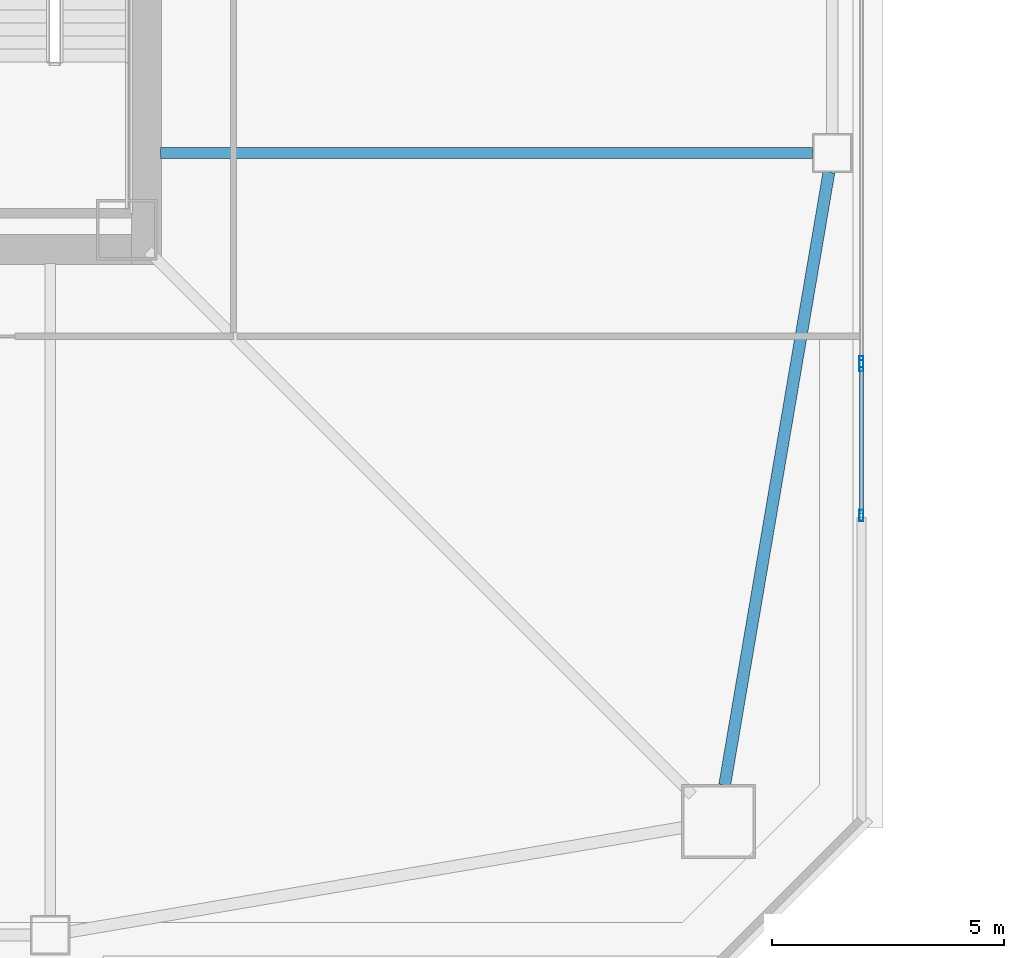
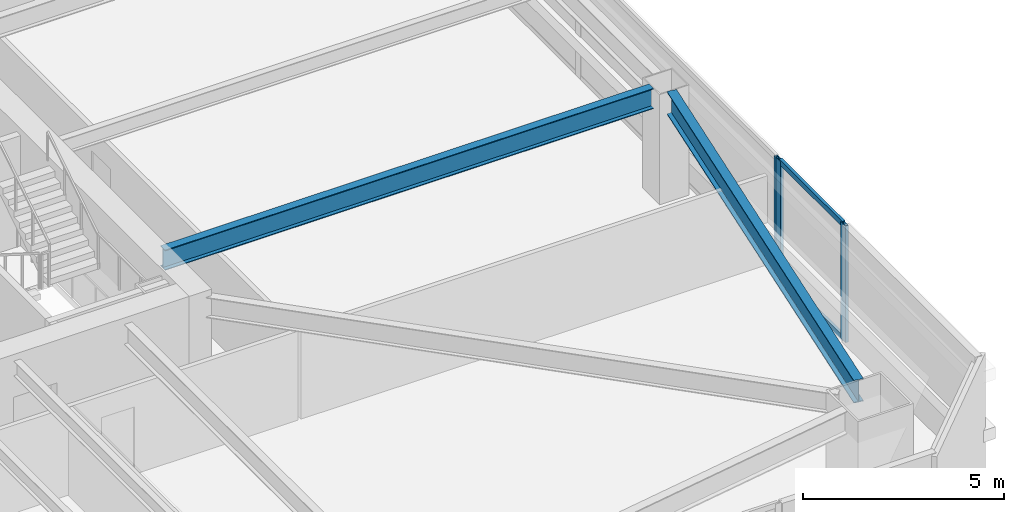
# One storey, part 10 of 46: 5 members, 2 beams, 2 elements without a shape of their own.
"""IFC4 building model written with IfcOpenShell, lengths in metres."""

from ifc_helpers import new_model, si_unit, direction, frame, origin, origin_2d, place, context, subcontext, project, spatial, hollow_rectangle, i_section, extrude, material, material_profile, profile_set, type_object, element, aggregate, save


model = new_model("IFC4")

# Units and contexts
model_context = context("Model", 3, precision=1e-05, world=origin(), true_north=direction((0.0, 1.0)))
body_context = subcontext(model_context, "Body", "Model", "MODEL_VIEW")
ifc_project = project(units=[si_unit("LENGTHUNIT", "METRE"), si_unit("AREAUNIT", "SQUARE_METRE"), si_unit("VOLUMEUNIT", "CUBIC_METRE"), si_unit("PLANEANGLEUNIT", "RADIAN"), si_unit("MASSUNIT", "GRAM", prefix="KILO")], contexts=[model_context])

# Site, building, storey
site_placement = place(None, origin())
site = spatial("IfcSite", under=ifc_project, at=site_placement, CompositionType="ELEMENT")
building_placement = place(site_placement, origin())
building = spatial("IfcBuilding", under=site, at=building_placement, Name="Tashvorn Skyway Center", CompositionType="ELEMENT")
storey_placement = place(building_placement, frame((0.0, 0.0, 60.10009765625)))
storey = spatial("IfcBuildingStorey", under=building, at=storey_placement, Name="L15", CompositionType="ELEMENT", Elevation=60.10009765625)

# Beams
ifc_material_1 = material(Name="Steel ASTM A992 Grade 50", Category="steel")
ifc_material_profile_1 = material_profile(ifc_material_1, i_section(OverallWidth=0.22998046875, OverallDepth=0.616943359375, WebThickness=0.01318359375, FlangeThickness=0.022216796875, at=origin_2d()), Name="W24X94")
ifc_profile_set_1 = profile_set([ifc_material_profile_1], Name="Steel ASTM A992 Grade 50")
beam_type_1 = type_object("IfcBeamType", Name="BM-BEAM-W24X94", PredefinedType="BEAM", material=ifc_profile_set_1)
beam_1_placement = place(storey_placement, frame((63.830078125, 26.60009765625, 3.04150390625), z_axis=(-1.0, 0.0, 0.0), x_axis=(0.0, -1.0, 0.0)))
element("IfcBeam", 1, at=beam_1_placement, inside=storey, type_object=beam_type_1, Name="Tower 1 L15 Primary Floor Girder FC-E1", PredefinedType="BEAM", context=body_context, shape_type="SweptSolid", body=[
    extrude(i_section(OverallWidth=0.22998046875, OverallDepth=0.616943359375, WebThickness=0.01318359375, FlangeThickness=0.022216796875, at=origin_2d()), origin(), (0.0, 0.0, 1.0), 14.050048828125),
])
ifc_material_profile_2 = material_profile(ifc_material_1, i_section(OverallWidth=0.256103515625, OverallDepth=0.693115234375, WebThickness=0.014404296875, FlangeThickness=0.023681640625, at=origin_2d()), Name="W27X114")
ifc_profile_set_2 = profile_set([ifc_material_profile_2], Name="Steel ASTM A992 Grade 50")
beam_type_2 = type_object("IfcBeamType", Name="BM-SPANDREL-W27X114", PredefinedType="SPANDREL", material=ifc_profile_set_2)
beam_2_placement = place(storey_placement, frame((61.933349609375, 12.983642578125, 3.00341796875), z_axis=(0.16771792509, 0.985835025551, 0.0), x_axis=(-0.985835025551, 0.16771792509, 0.0)))
element("IfcBeam", 2, at=beam_2_placement, inside=storey, type_object=beam_type_2, Name="Tower 1 L15 Spandrel Beam 04", PredefinedType="SPANDREL", context=body_context, shape_type="SweptSolid", body=[
    extrude(i_section(OverallWidth=0.256103515625, OverallDepth=0.693115234375, WebThickness=0.014404296875, FlangeThickness=0.023681640625, at=origin_2d()), origin(), (0.0, 0.0, 1.0), 13.39208984375),
])

# Curtain wall, member
ifc_material_2 = material(Name="Thermally broken bronze-anodized aluminium 6063-T6", Category="aluminium")
curtain_wall_type = type_object("IfcCurtainWallType", Name="CW-CW-Z1", PredefinedType="NOTDEFINED", material=ifc_material_2)
curtain_wall_1_placement = place(storey_placement, origin())
curtain_wall_1 = element("IfcCurtainWall", 3, at=curtain_wall_1_placement, inside=storey, type_object=curtain_wall_type, Name="Tower 1 L15 East Unitised Curtain Wall Glazing Group 2", PredefinedType="NOTDEFINED")
ifc_material_profile_3 = material_profile(ifc_material_2, hollow_rectangle(XDim=0.0849609375, YDim=0.239990234375, WallThickness=0.0048828125, at=origin_2d()), Name="ALU-MULL-85x240")
ifc_profile_set_3 = profile_set([ifc_material_profile_3], Name="Thermally broken bronze-anodized aluminium 6063-T6")
member_type_1 = type_object("IfcMemberType", Name="CWM-CW-Z1", PredefinedType="MULLION", material=ifc_profile_set_3)
member_1_placement = place(storey_placement, frame((64.8798828125, 22.1025390625, 0.0), z_axis=(0.0, 0.0, 1.0), x_axis=(1.0, 0.0, 0.0)))
member_1 = element("IfcMember", 4, at=member_1_placement, type_object=member_type_1, Name="CW-Z1 mullion 3", PredefinedType="MULLION", context=body_context, shape_type="SweptSolid", body=[
    extrude(hollow_rectangle(XDim=0.0849609375, YDim=0.239990234375, WallThickness=0.0048828125, at=origin_2d()), origin(), (0.0, 0.0, 1.0), 3.5498046875),
])
aggregate(curtain_wall_1, [member_1])

# Curtain wall, members
curtain_wall_2_placement = place(storey_placement, origin())
curtain_wall_2 = element("IfcCurtainWall", 5, at=curtain_wall_2_placement, inside=storey, type_object=curtain_wall_type, Name="Tower 1 L15 East Unitised Curtain Wall Glazing Group 3", PredefinedType="NOTDEFINED")
member_2_placement = place(storey_placement, frame((64.8798828125, 22.017578125, 0.0), z_axis=(0.0, 0.0, 1.0), x_axis=(1.0, 0.0, 0.0)))
member_2 = element("IfcMember", 6, at=member_2_placement, type_object=member_type_1, Name="CW-Z1 mullion 1", PredefinedType="MULLION", context=body_context, shape_type="SweptSolid", body=[
    extrude(hollow_rectangle(XDim=0.0849609375, YDim=0.239990234375, WallThickness=0.0048828125, at=origin_2d()), origin(), (0.0, 0.0, 1.0), 3.5498046875),
])
member_3_placement = place(storey_placement, frame((64.8798828125, 18.789306640625, 0.0), z_axis=(0.0, 0.0, 1.0), x_axis=(1.0, 0.0, 0.0)))
member_3 = element("IfcMember", 7, at=member_3_placement, type_object=member_type_1, Name="CW-Z1 mullion 2", PredefinedType="MULLION", context=body_context, shape_type="SweptSolid", body=[
    extrude(hollow_rectangle(XDim=0.0849609375, YDim=0.239990234375, WallThickness=0.0048828125, at=origin_2d()), origin(), (0.0, 0.0, 1.0), 3.5498046875),
])
ifc_material_profile_4 = material_profile(ifc_material_2, hollow_rectangle(XDim=0.0849609375, YDim=0.1650390625, WallThickness=0.0048828125, at=origin_2d()), Name="ALU-TRAN-85x165")
ifc_profile_set_4 = profile_set([ifc_material_profile_4], Name="Thermally broken bronze-anodized aluminium 6063-T6")
member_type_2 = type_object("IfcMemberType", Name="CWT-CW-Z1", PredefinedType="USERDEFINED", material=ifc_profile_set_4)
member_4_placement = place(storey_placement, frame((64.8798828125, 21.97509765625, 0.04248046875), z_axis=(0.0, -1.0, 0.0), x_axis=(1.0, 0.0, 0.0)))
member_4 = element("IfcMember", 8, at=member_4_placement, type_object=member_type_2, Name="CW-Z1 transom 1.1", ObjectType="TRANSOM", PredefinedType="USERDEFINED", context=body_context, shape_type="SweptSolid", body=[
    extrude(hollow_rectangle(XDim=0.0849609375, YDim=0.1650390625, WallThickness=0.0048828125, at=origin_2d()), origin(), (0.0, 0.0, 1.0), 3.143310546875),
])
member_5_placement = place(storey_placement, frame((64.8798828125, 21.97509765625, 3.50732421875), z_axis=(0.0, -1.0, 0.0), x_axis=(1.0, 0.0, 0.0)))
member_5 = element("IfcMember", 9, at=member_5_placement, type_object=member_type_2, Name="CW-Z1 transom 1.2", ObjectType="TRANSOM", PredefinedType="USERDEFINED", context=body_context, shape_type="SweptSolid", body=[
    extrude(hollow_rectangle(XDim=0.0849609375, YDim=0.1650390625, WallThickness=0.0048828125, at=origin_2d()), origin(), (0.0, 0.0, 1.0), 3.143310546875),
])
aggregate(curtain_wall_2, [member_2, member_3, member_4, member_5])

save(model, "model.ifc")
